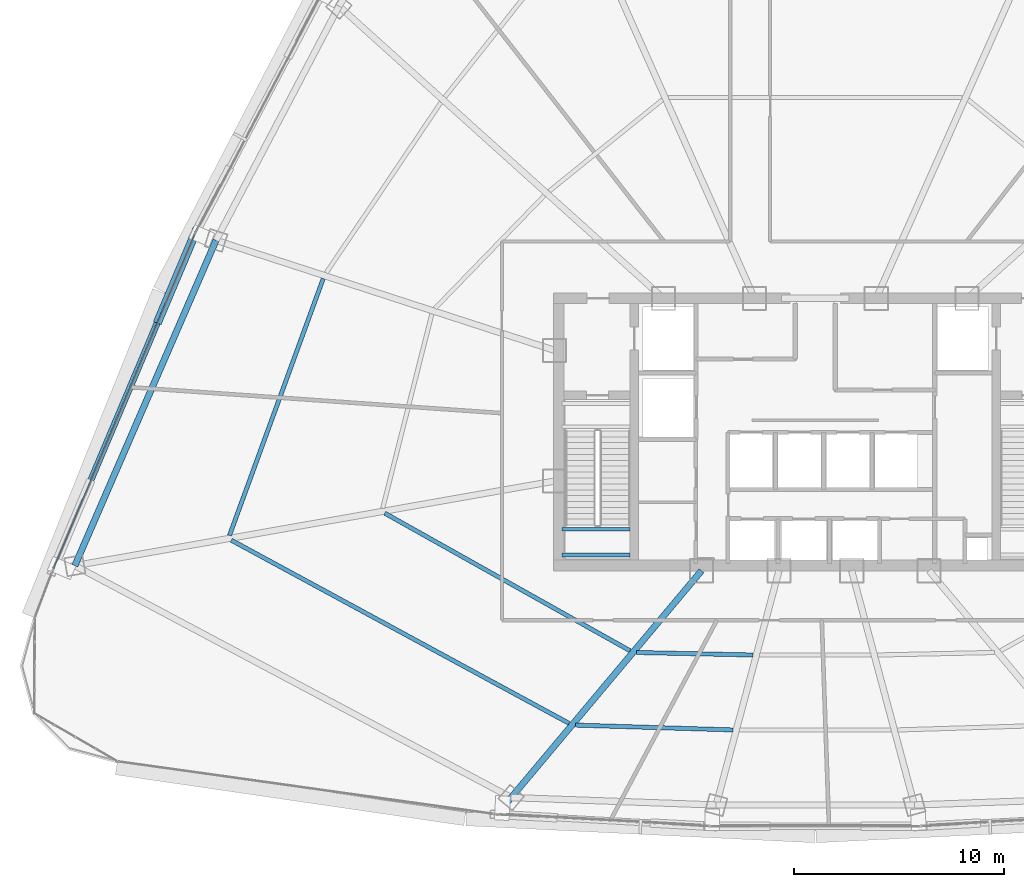
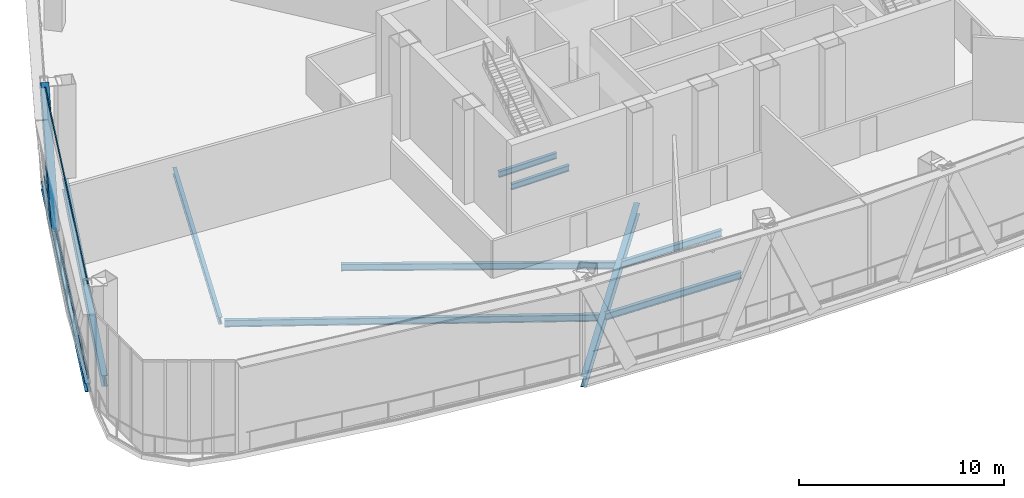
# One storey, part 7 of 38: 10 beams, 3 members, 1 element without a shape of its own.
"""IFC4 building model written with IfcOpenShell, lengths in metres."""

from ifc_helpers import new_model, si_unit, direction, frame, origin, origin_2d, place, context, subcontext, project, spatial, hollow_rectangle, i_section, extrude, source, transform, mapped, material, layer, layer_set, material_profile, profile_set, type_object, element, aggregate, save


model = new_model("IFC4")

# Units and contexts
model_context = context("Model", 3, precision=1e-05, world=origin(), true_north=direction((0.0, 1.0)))
body_context = subcontext(model_context, "Body", "Model", "MODEL_VIEW")
ifc_project = project(units=[si_unit("LENGTHUNIT", "METRE"), si_unit("AREAUNIT", "SQUARE_METRE"), si_unit("VOLUMEUNIT", "CUBIC_METRE"), si_unit("PLANEANGLEUNIT", "RADIAN"), si_unit("MASSUNIT", "GRAM", prefix="KILO"), si_unit("THERMODYNAMICTEMPERATUREUNIT", "KELVIN"), si_unit("POWERUNIT", "WATT")], contexts=[model_context])

# Site, building, storey
site_placement = place(None, origin())
site = spatial("IfcSite", under=ifc_project, at=site_placement, CompositionType="ELEMENT")
building_placement = place(site_placement, origin())
building = spatial("IfcBuilding", under=site, at=building_placement, Name="Yunzhuo Pagoda Commons", CompositionType="ELEMENT")
storey_placement = place(building_placement, frame((0.0, 0.0, 218.9599609375)))
storey = spatial("IfcBuildingStorey", under=building, at=storey_placement, Name="L55", CompositionType="ELEMENT", Elevation=218.9599609375)

# Beams
ifc_material_1 = material(Name="Structural steel Q355B", Category="steel")
ifc_material_profile_1 = material_profile(ifc_material_1, i_section(OverallWidth=0.175048828125, OverallDepth=0.35009765625, WebThickness=0.007080078125, FlangeThickness=0.010986328125, at=origin_2d()), Name="Structural steel Q355B")
ifc_profile_set_1 = profile_set([ifc_material_profile_1], Name="Structural steel Q355B")
beam_type_1 = type_object("IfcBeamType", Name="B-JS2 Joist HN 350x175x7x11", PredefinedType="JOIST", material=ifc_profile_set_1)
shared_shape_1 = source(origin(), body_context, "Body", "SweptSolid", [
    extrude(i_section(OverallWidth=0.175048828125, OverallDepth=0.35009765625, WebThickness=0.007080078125, FlangeThickness=0.010986328125, at=origin_2d()), origin(), (0.0, 0.0, 1.0), 3.25),
])
for number, where, z_axis, x_axis, name in (
    (1, (35.949951171875, 28.0, 2.550048828125), (1.0, 0.0, 0.0), (0.0, 1.0, 0.0), "L55 ST1 landing support beam 61A"),
    (2, (35.949951171875, 29.219970703125, 2.550048828125), (1.0, 0.0, 0.0), (0.0, 1.0, 0.0), "L55 ST1 landing support beam 61B"),
):
    element("IfcBeam", number, at=place(storey_placement, frame(where, z_axis=z_axis, x_axis=x_axis)), inside=storey, type_object=beam_type_1, Name=name, PredefinedType="JOIST", context=body_context, shape_type="MappedRepresentation", body=[
        mapped(shared_shape_1, transform((0.0, 0.0, 0.0), scale=1.0)),
    ])
ifc_material_profile_2 = material_profile(ifc_material_1, i_section(OverallWidth=0.300048828125, OverallDepth=0.64990234375, WebThickness=0.012939453125, FlangeThickness=0.02197265625, at=origin_2d()), Name="Structural steel Q355B")
ifc_profile_set_2 = profile_set([ifc_material_profile_2], Name="Structural steel Q355B")
beam_type_2 = type_object("IfcBeamType", Name="B-RG2 Beam HN 650x300x13x22", PredefinedType="BEAM", material=ifc_profile_set_2)
shared_shape_2 = source(origin(), body_context, "Body", "SweptSolid", [
    extrude(i_section(OverallWidth=0.300048828125, OverallDepth=0.64990234375, WebThickness=0.012939453125, FlangeThickness=0.02197265625, at=origin_2d()), origin(), (0.0, 0.0, 1.0), 16.859619140625),
])
beam_1_placement = place(storey_placement, frame((19.50537109375, 42.95849609375, -0.604736328125), z_axis=(-0.398104384161, -0.917340121935, 0.0), x_axis=(0.917340121935, -0.398104384161, 0.0)))
element("IfcBeam", 3, at=beam_1_placement, inside=storey, type_object=beam_type_2, Name="L55 column-ring beam 11", PredefinedType="BEAM", context=body_context, shape_type="MappedRepresentation", body=[
    mapped(shared_shape_2, transform((0.0, 0.0, 0.0), scale=1.0)),
])
ifc_material_profile_3 = material_profile(ifc_material_1, i_section(OverallWidth=0.199951171875, OverallDepth=0.39990234375, WebThickness=0.008056640625, FlangeThickness=0.012939453125, at=origin_2d()), Name="Structural steel Q355B")
ifc_profile_set_3 = profile_set([ifc_material_profile_3], Name="Structural steel Q355B")
beam_type_3 = type_object("IfcBeamType", Name="B-JS1 Joist HN 400x200x8x13", PredefinedType="JOIST", material=ifc_profile_set_3)
shared_shape_3 = source(origin(), body_context, "Body", "SweptSolid", [
    extrude(i_section(OverallWidth=0.199951171875, OverallDepth=0.39990234375, WebThickness=0.008056640625, FlangeThickness=0.012939453125, at=origin_2d()), origin(), (0.0, 0.0, 1.0), 5.550537109375),
])
beam_2_placement = place(storey_placement, frame((39.489013671875, 23.3642578125, -0.479736328125), z_axis=(0.99976582056, -0.021640333643, 0.0), x_axis=(0.021640333643, 0.99976582056, 0.0)))
element("IfcBeam", 4, at=beam_2_placement, inside=storey, type_object=beam_type_3, Name="L55 composite ring joist 1.1", PredefinedType="JOIST", context=body_context, shape_type="MappedRepresentation", body=[
    mapped(shared_shape_3, transform((0.0, 0.0, 0.0), scale=1.0)),
])
shared_shape_4 = source(origin(), body_context, "Body", "SweptSolid", [
    extrude(i_section(OverallWidth=0.199951171875, OverallDepth=0.39990234375, WebThickness=0.008056640625, FlangeThickness=0.012939453125, at=origin_2d()), origin(), (0.0, 0.0, 1.0), 7.49365234375),
])
beam_3_placement = place(storey_placement, frame((36.593505859375, 19.911865234375, -0.479736328125), z_axis=(0.99952593018, -0.030788226605, 0.0), x_axis=(0.030788226605, 0.99952593018, 0.0)))
element("IfcBeam", 5, at=beam_3_placement, inside=storey, type_object=beam_type_3, Name="L55 composite ring joist 2.1", PredefinedType="JOIST", context=body_context, shape_type="MappedRepresentation", body=[
    mapped(shared_shape_4, transform((0.0, 0.0, 0.0), scale=1.0)),
])
shared_shape_5 = source(origin(), body_context, "Body", "SweptSolid", [
    extrude(i_section(OverallWidth=0.199951171875, OverallDepth=0.39990234375, WebThickness=0.008056640625, FlangeThickness=0.012939453125, at=origin_2d()), origin(), (0.0, 0.0, 1.0), 13.372802734375),
])
beam_4_placement = place(storey_placement, frame((27.5283203125, 29.988037109375, -0.479736328125), z_axis=(0.872150261016, -0.4892381038, 0.0), x_axis=(0.4892381038, 0.872150261016, 0.0)))
element("IfcBeam", 6, at=beam_4_placement, inside=storey, type_object=beam_type_3, Name="L55 composite ring joist 1.12", PredefinedType="JOIST", context=body_context, shape_type="MappedRepresentation", body=[
    mapped(shared_shape_5, transform((0.0, 0.0, 0.0), scale=1.0)),
])
shared_shape_6 = source(origin(), body_context, "Body", "SweptSolid", [
    extrude(i_section(OverallWidth=0.199951171875, OverallDepth=0.39990234375, WebThickness=0.008056640625, FlangeThickness=0.012939453125, at=origin_2d()), origin(), (0.0, 0.0, 1.0), 18.27294921875),
])
beam_5_placement = place(storey_placement, frame((20.2314453125, 28.703125, -0.479736328125), z_axis=(0.879067821824, -0.476696721861, 0.0), x_axis=(0.476696721861, 0.879067821824, 0.0)))
element("IfcBeam", 7, at=beam_5_placement, inside=storey, type_object=beam_type_3, Name="L55 composite ring joist 2.12", PredefinedType="JOIST", context=body_context, shape_type="MappedRepresentation", body=[
    mapped(shared_shape_6, transform((0.0, 0.0, 0.0), scale=1.0)),
])
shared_shape_7 = source(origin(), body_context, "Body", "SweptSolid", [
    extrude(i_section(OverallWidth=0.199951171875, OverallDepth=0.39990234375, WebThickness=0.008056640625, FlangeThickness=0.012939453125, at=origin_2d()), origin(), (0.0, 0.0, 1.0), 12.994873046875),
])
beam_6_placement = place(storey_placement, frame((24.60107421875, 41.1357421875, -0.479736328125), z_axis=(-0.342834977914, -0.939395645039, 0.0), x_axis=(0.939395645039, -0.342834977914, 0.0)))
element("IfcBeam", 8, at=beam_6_placement, inside=storey, type_object=beam_type_3, Name="L55 composite ring joist 2.11", PredefinedType="JOIST", context=body_context, shape_type="MappedRepresentation", body=[
    mapped(shared_shape_7, transform((0.0, 0.0, 0.0), scale=1.0)),
])
shared_shape_8 = source(origin(), body_context, "Body", "SweptSolid", [
    extrude(i_section(OverallWidth=0.300048828125, OverallDepth=0.64990234375, WebThickness=0.012939453125, FlangeThickness=0.02197265625, at=origin_2d()), origin(), (0.0, 0.0, 1.0), 14.972900390625),
])
beam_7_placement = place(storey_placement, frame((32.96337890625, 15.7802734375, -0.604736328125), z_axis=(0.64279812854, 0.76603561663, 0.0), x_axis=(-0.76603561663, 0.64279812854, 0.0)))
element("IfcBeam", 9, at=beam_7_placement, inside=storey, type_object=beam_type_2, Name="L55 radial floor girder F1C1", PredefinedType="BEAM", context=body_context, shape_type="MappedRepresentation", body=[
    mapped(shared_shape_8, transform((0.0, 0.0, 0.0), scale=1.0)),
])
ifc_material_profile_4 = material_profile(ifc_material_1, i_section(OverallWidth=0.300048828125, OverallDepth=0.488037109375, WebThickness=0.010986328125, FlangeThickness=0.01806640625, at=origin_2d()), Name="Structural steel Q355B")
ifc_profile_set_4 = profile_set([ifc_material_profile_4], Name="Structural steel Q355B")
beam_type_4 = type_object("IfcBeamType", Name="B-SP1 Beam HM 488x300x11x18", PredefinedType="BEAM", material=ifc_profile_set_4)
shared_shape_9 = source(origin(), body_context, "Body", "SweptSolid", [
    extrude(i_section(OverallWidth=0.300048828125, OverallDepth=0.488037109375, WebThickness=0.010986328125, FlangeThickness=0.01806640625, at=origin_2d()), origin(), (0.0, 0.0, 1.0), 17.33935546875),
])
beam_8_placement = place(storey_placement, frame((18.506591796875, 43.282958984375, -0.52392578125), z_axis=(-0.389104808886, -0.921193490914, 0.0), x_axis=(0.921193490914, -0.389104808886, 0.0)))
element("IfcBeam", 10, at=beam_8_placement, inside=storey, type_object=beam_type_4, Name="L55 facade edge spandrel beam F3.3", PredefinedType="BEAM", context=body_context, shape_type="MappedRepresentation", body=[
    mapped(shared_shape_9, transform((0.0, 0.0, 0.0), scale=1.0)),
])

# Member
ifc_material_profile_5 = material_profile(ifc_material_1, hollow_rectangle(XDim=0.39990234375, YDim=0.719970703125, WallThickness=0.02392578125, at=origin_2d()), Name="Structural steel Q355B")
ifc_profile_set_5 = profile_set([ifc_material_profile_5], Name="Structural steel Q355B")
member_type_1 = type_object("IfcMemberType", Name="M-DL2 Brace BOX 720x400x24", PredefinedType="BRACE", material=ifc_profile_set_5)
shared_shape_10 = source(origin(), body_context, "Body", "SweptSolid", [
    extrude(hollow_rectangle(XDim=0.39990234375, YDim=0.719970703125, WallThickness=0.02392578125, at=origin_2d()), origin(), (0.0, 0.0, 1.0), 7.281005859375),
])
member_1_placement = place(storey_placement, frame((16.81982421875, 39.289794921875, -0.280029296875), z_axis=(0.231664342687, 0.548429872483, 0.803465187358), x_axis=(-0.921186312034, 0.389121804221, 0.0)))
element("IfcMember", 11, at=member_1_placement, inside=storey, type_object=member_type_1, Name="L55 facade diamond brace F3.3L", PredefinedType="BRACE", context=body_context, shape_type="MappedRepresentation", body=[
    mapped(shared_shape_10, transform((0.0, 0.0, 0.0), scale=1.0)),
])

# Curtain wall, members
ifc_material_2 = material(Name="Anodized aluminium 6063-T6", Category="aluminium")
ifc_layer = layer(ifc_material_2, 0.14990234375)
ifc_layer_set = layer_set([ifc_layer], Name="Anodized aluminium 6063-T6")
curtain_wall_type = type_object("IfcCurtainWallType", Name="CW-MID Mid-Zone Ribbon Curtain Wall", PredefinedType="NOTDEFINED", material=ifc_layer_set)
curtain_wall_placement = place(storey_placement, origin())
curtain_wall = element("IfcCurtainWall", 12, at=curtain_wall_placement, inside=storey, type_object=curtain_wall_type, Name="L55 curtain wall CW-L55-F3B4", PredefinedType="NOTDEFINED")
ifc_material_profile_6 = material_profile(ifc_material_2, hollow_rectangle(XDim=0.054931640625, YDim=0.1298828125, WallThickness=0.00341796875, at=origin_2d()), Name="Anodized aluminium 6063-T6")
ifc_profile_set_6 = profile_set([ifc_material_profile_6], Name="Anodized aluminium 6063-T6")
member_type_2 = type_object("IfcMemberType", Name="CW-MID-T Transom RHS 130x55x3.5", PredefinedType="USERDEFINED", material=ifc_profile_set_6)
shared_shape_11 = source(origin(), body_context, "Body", "SweptSolid", [
    extrude(hollow_rectangle(XDim=0.054931640625, YDim=0.1298828125, WallThickness=0.00341796875, at=origin_2d()), origin(), (0.0, 0.0, 1.0), 17.219970703125),
])
member_2_placement = place(storey_placement, frame((18.4833984375, 43.227783203125, 0.027587890625), z_axis=(-0.389110810266, -0.921190955956, 0.0), x_axis=(0.921190955956, -0.389110810266, 0.0)))
member_2 = element("IfcMember", 13, at=member_2_placement, type_object=member_type_2, Name="CW transom 1.1", ObjectType="TRANSOM", PredefinedType="USERDEFINED", context=body_context, shape_type="MappedRepresentation", body=[
    mapped(shared_shape_11, transform((0.0, 0.0, 0.0), scale=1.0)),
])
member_3_placement = place(storey_placement, frame((18.4833984375, 43.227783203125, 5.54248046875), z_axis=(-0.389110810266, -0.921190955956, 0.0), x_axis=(0.921190955956, -0.389110810266, 0.0)))
member_3 = element("IfcMember", 14, at=member_3_placement, type_object=member_type_2, Name="CW transom 1.2", ObjectType="TRANSOM", PredefinedType="USERDEFINED", context=body_context, shape_type="MappedRepresentation", body=[
    mapped(shared_shape_11, transform((0.0, 0.0, 0.0), scale=1.0)),
])
aggregate(curtain_wall, [member_2, member_3])

save(model, "model.ifc")
